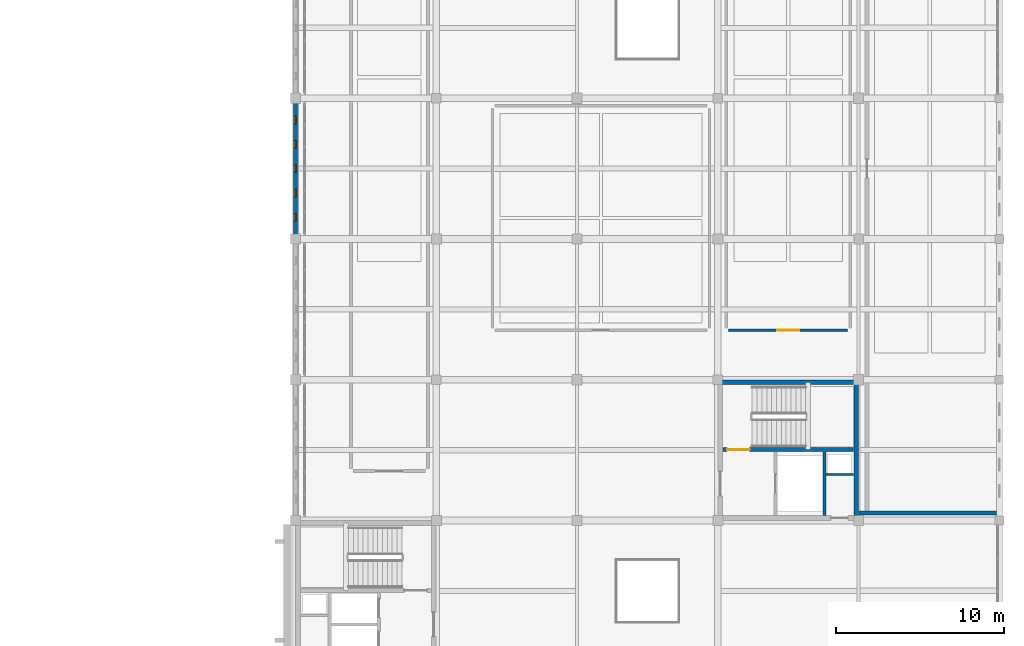
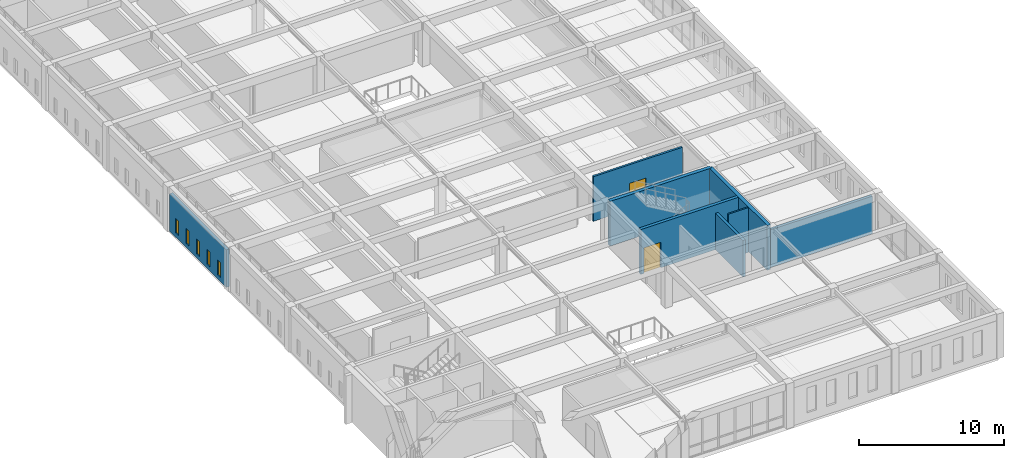
# One storey, part 44 of 56: 8 walls, 5 windows, 2 doors, 7 openings.
"""IFC4 building model written with IfcOpenShell, lengths in metres."""

from ifc_helpers import new_model, si_unit, direction, frame, frame_2d, origin, place, context, subcontext, project, spatial, rectangle, extrude, material, layer, layer_set, type_object, element, fill, save


model = new_model("IFC4")

# Units and contexts
model_context = context("Model", 3, precision=1e-05, world=origin(), true_north=direction((0.0, 1.0)))
body_context = subcontext(model_context, "Body", "Model", "MODEL_VIEW")
ifc_project = project(units=[si_unit("LENGTHUNIT", "METRE"), si_unit("AREAUNIT", "SQUARE_METRE"), si_unit("VOLUMEUNIT", "CUBIC_METRE"), si_unit("PLANEANGLEUNIT", "RADIAN"), si_unit("MASSUNIT", "GRAM", prefix="KILO")], contexts=[model_context])

# Site, building, storey
site_placement = place(None, origin())
site = spatial("IfcSite", under=ifc_project, at=site_placement, CompositionType="ELEMENT")
building_placement = place(site_placement, origin())
building = spatial("IfcBuilding", under=site, at=building_placement, Name="Kveldsbrygga Polytechnic", CompositionType="ELEMENT")
storey_placement = place(building_placement, frame((0.0, 0.0, 18.02001953125)))
storey = spatial("IfcBuildingStorey", under=building, at=storey_placement, Name="L04", CompositionType="ELEMENT", Elevation=18.02001953125)

# Wall, openings, windows
ifc_material_1 = material(Name="Fired clay brick masonry M10", Category="masonry")
ifc_layer_1 = layer(ifc_material_1, 0.239990234375)
ifc_layer_set_1 = layer_set([ifc_layer_1], Name="Fired clay brick masonry M10")
wall_type_1 = type_object("IfcWallType", Name="EW-SCRN-240", PredefinedType="SOLIDWALL", material=ifc_layer_set_1)
wall_1_placement = place(storey_placement, frame((126.0, 50.675048828125, 0.0), z_axis=(0.0, 0.0, 1.0), x_axis=(0.0, 1.0, 0.0)))
wall_1 = element("IfcWall", 1, at=wall_1_placement, inside=storey, type_object=wall_type_1, Name="Perforated Brick Corridor Screen Wall SCRW-L04-Y-15-06", PredefinedType="SOLIDWALL", context=body_context, shape_type="SweptSolid", body=[
    extrude(rectangle(XDim=7.83984375, YDim=0.239990234375, at=frame_2d((3.919921875, 0.0))), origin(), (0.0, 0.0, 1.0), 3.179931640625),
])
opening_1_placement = place(wall_1_placement, frame((0.803955078125, 0.0, 0.35009765625)))
opening_1 = element("IfcOpeningElement", 2, at=opening_1_placement, cuts=wall_1, Name="Opening W-48", PredefinedType="OPENING", context=body_context, shape_type="SweptSolid", body=[
    extrude(rectangle(XDim=0.43994140625, YDim=1.25, at=frame_2d((0.219970703125, 0.625))), frame((0.0, 0.1298828125, 0.0), z_axis=(0.0, -1.0, 0.0), x_axis=(1.0, 0.0, 0.0)), (0.0, 0.0, 1.0), 0.260009765625),
])
opening_2_placement = place(wall_1_placement, frame((2.251953125, 0.0, 0.35009765625)))
opening_2 = element("IfcOpeningElement", 3, at=opening_2_placement, cuts=wall_1, Name="Opening W-48", PredefinedType="OPENING", context=body_context, shape_type="SweptSolid", body=[
    extrude(rectangle(XDim=0.43994140625, YDim=1.25, at=frame_2d((0.219970703125, 0.625))), frame((0.0, 0.1298828125, 0.0), z_axis=(0.0, -1.0, 0.0), x_axis=(1.0, 0.0, 0.0)), (0.0, 0.0, 1.0), 0.260009765625),
])
opening_3_placement = place(wall_1_placement, frame((3.699951171875, 0.0, 0.35009765625)))
opening_3 = element("IfcOpeningElement", 4, at=opening_3_placement, cuts=wall_1, Name="Opening W-48", PredefinedType="OPENING", context=body_context, shape_type="SweptSolid", body=[
    extrude(rectangle(XDim=0.43994140625, YDim=1.25, at=frame_2d((0.219970703125, 0.625))), frame((0.0, 0.1298828125, 0.0), z_axis=(0.0, -1.0, 0.0), x_axis=(1.0, 0.0, 0.0)), (0.0, 0.0, 1.0), 0.260009765625),
])
opening_4_placement = place(wall_1_placement, frame((5.14794921875, 0.0, 0.35009765625)))
opening_4 = element("IfcOpeningElement", 5, at=opening_4_placement, cuts=wall_1, Name="Opening W-48", PredefinedType="OPENING", context=body_context, shape_type="SweptSolid", body=[
    extrude(rectangle(XDim=0.43994140625, YDim=1.25, at=frame_2d((0.219970703125, 0.625))), frame((0.0, 0.1298828125, 0.0), z_axis=(0.0, -1.0, 0.0), x_axis=(1.0, 0.0, 0.0)), (0.0, 0.0, 1.0), 0.260009765625),
])
opening_5_placement = place(wall_1_placement, frame((6.595947265625, 0.0, 0.35009765625)))
opening_5 = element("IfcOpeningElement", 6, at=opening_5_placement, cuts=wall_1, Name="Opening W-48", PredefinedType="OPENING", context=body_context, shape_type="SweptSolid", body=[
    extrude(rectangle(XDim=0.43994140625, YDim=1.25, at=frame_2d((0.219970703125, 0.625))), frame((0.0, 0.1298828125, 0.0), z_axis=(0.0, -1.0, 0.0), x_axis=(1.0, 0.0, 0.0)), (0.0, 0.0, 1.0), 0.260009765625),
])
ifc_material_2 = material(Name="Insulated triple low-E glass", Category="glass")
window_type = type_object("IfcWindowType", Name="WN-SCRN-044x125", PartitioningType="SINGLE_PANEL", PredefinedType="WINDOW", material=ifc_material_2)
window_1_placement = place(opening_1_placement, origin())
window_1 = element("IfcWindow", 7, at=window_1_placement, inside=storey, type_object=window_type, Name="Perforated Screen Aperture L04-Y-15-06-1", OverallHeight=1.25, OverallWidth=0.43994140625, PartitioningType="SINGLE_PANEL", PredefinedType="WINDOW", context=body_context, shape_type="SweptSolid", body=[
    extrude(rectangle(XDim=0.43994140625, YDim=1.25, at=frame_2d((0.219970703125, 0.625))), frame((0.0, 0.030029296875, 0.0), z_axis=(0.0, -1.0, 0.0), x_axis=(1.0, 0.0, 0.0)), (0.0, 0.0, 1.0), 0.06005859375),
])
fill(opening_1, window_1)
window_2_placement = place(opening_2_placement, origin())
window_2 = element("IfcWindow", 8, at=window_2_placement, inside=storey, type_object=window_type, Name="Perforated Screen Aperture L04-Y-15-06-2", OverallHeight=1.25, OverallWidth=0.43994140625, PartitioningType="SINGLE_PANEL", PredefinedType="WINDOW", context=body_context, shape_type="SweptSolid", body=[
    extrude(rectangle(XDim=0.43994140625, YDim=1.25, at=frame_2d((0.219970703125, 0.625))), frame((0.0, 0.030029296875, 0.0), z_axis=(0.0, -1.0, 0.0), x_axis=(1.0, 0.0, 0.0)), (0.0, 0.0, 1.0), 0.06005859375),
])
fill(opening_2, window_2)
window_3_placement = place(opening_3_placement, origin())
window_3 = element("IfcWindow", 9, at=window_3_placement, inside=storey, type_object=window_type, Name="Perforated Screen Aperture L04-Y-15-06-3", OverallHeight=1.25, OverallWidth=0.43994140625, PartitioningType="SINGLE_PANEL", PredefinedType="WINDOW", context=body_context, shape_type="SweptSolid", body=[
    extrude(rectangle(XDim=0.43994140625, YDim=1.25, at=frame_2d((0.219970703125, 0.625))), frame((0.0, 0.030029296875, 0.0), z_axis=(0.0, -1.0, 0.0), x_axis=(1.0, 0.0, 0.0)), (0.0, 0.0, 1.0), 0.06005859375),
])
fill(opening_3, window_3)
window_4_placement = place(opening_4_placement, origin())
window_4 = element("IfcWindow", 10, at=window_4_placement, inside=storey, type_object=window_type, Name="Perforated Screen Aperture L04-Y-15-06-4", OverallHeight=1.25, OverallWidth=0.43994140625, PartitioningType="SINGLE_PANEL", PredefinedType="WINDOW", context=body_context, shape_type="SweptSolid", body=[
    extrude(rectangle(XDim=0.43994140625, YDim=1.25, at=frame_2d((0.219970703125, 0.625))), frame((0.0, 0.030029296875, 0.0), z_axis=(0.0, -1.0, 0.0), x_axis=(1.0, 0.0, 0.0)), (0.0, 0.0, 1.0), 0.06005859375),
])
fill(opening_4, window_4)
window_5_placement = place(opening_5_placement, origin())
window_5 = element("IfcWindow", 11, at=window_5_placement, inside=storey, type_object=window_type, Name="Perforated Screen Aperture L04-Y-15-06-5", OverallHeight=1.25, OverallWidth=0.43994140625, PartitioningType="SINGLE_PANEL", PredefinedType="WINDOW", context=body_context, shape_type="SweptSolid", body=[
    extrude(rectangle(XDim=0.43994140625, YDim=1.25, at=frame_2d((0.219970703125, 0.625))), frame((0.0, 0.030029296875, 0.0), z_axis=(0.0, -1.0, 0.0), x_axis=(1.0, 0.0, 0.0)), (0.0, 0.0, 1.0), 0.06005859375),
])
fill(opening_5, window_5)

# Walls
ifc_layer_2 = layer(ifc_material_1, 0.239990234375)
ifc_layer_set_2 = layer_set([ifc_layer_2], Name="Fired clay brick masonry M10")
wall_type_2 = type_object("IfcWallType", Name="IW-COMP-240", PredefinedType="PARTITIONING", material=ifc_layer_set_2)
wall_2_placement = place(storey_placement, frame((159.6298828125, 34.050048828125, 0.0), z_axis=(0.0, 0.0, 1.0), x_axis=(1.0, 0.0, 0.0)))
element("IfcWall", 12, at=wall_2_placement, inside=storey, type_object=wall_type_2, Name="Partition Wall IW-SP-L04-STK2-S1", PredefinedType="PARTITIONING", context=body_context, shape_type="SweptSolid", body=[
    extrude(rectangle(XDim=8.190185546875, YDim=0.239990234375, at=frame_2d((4.09521484375, 0.0))), origin(), (0.0, 0.0, 1.0), 3.179931640625),
])
ifc_material_3 = material(Name="Moisture-resistant masonry M10", Category="masonry")
ifc_layer_3 = layer(ifc_material_3, 0.1298828125)
ifc_layer_set_3 = layer_set([ifc_layer_3], Name="Moisture-resistant masonry M10")
wall_type_3 = type_object("IfcWallType", Name="IW-SAN-130", PredefinedType="PARTITIONING", material=ifc_layer_set_3)
wall_3_placement = place(storey_placement, frame((157.659912109375, 36.340087890625, 0.0), z_axis=(0.0, 0.0, 1.0), x_axis=(1.0, 0.0, 0.0)))
element("IfcWall", 13, at=wall_3_placement, inside=storey, type_object=wall_type_3, Name="Core AWC Divider C3-L04-W-RSR", PredefinedType="PARTITIONING", context=body_context, shape_type="SweptSolid", body=[
    extrude(rectangle(XDim=1.6201171875, YDim=0.1298828125, at=frame_2d((0.81005859375, 0.0))), origin(), (0.0, 0.0, 1.0), 3.780029296875),
])

# Wall, opening, door
ifc_material_4 = material(Name="Gypsum acoustic stud partition")
ifc_layer_4 = layer(ifc_material_4, 0.159912109375)
ifc_layer_set_4 = layer_set([ifc_layer_4], Name="Gypsum acoustic stud partition")
wall_type_4 = type_object("IfcWallType", Name="IW-STD-160", PredefinedType="PARTITIONING", material=ifc_layer_set_4)
wall_4_placement = place(storey_placement, frame((151.85009765625, 44.949951171875, 0.0), z_axis=(0.0, 0.0, 1.0), x_axis=(1.0, 0.0, 0.0)))
wall_4 = element("IfcWall", 14, at=wall_4_placement, inside=storey, type_object=wall_type_4, Name="Partition Wall IW-SP-L04-STD43-S1", PredefinedType="PARTITIONING", context=body_context, shape_type="SweptSolid", body=[
    extrude(rectangle(XDim=7.099853515625, YDim=0.159912109375, at=frame_2d((3.5498046875, 0.0))), origin(), (0.0, 0.0, 1.0), 3.780029296875),
])
opening_6_placement = place(wall_4_placement, frame((2.89990234375, 0.0, 0.0)))
opening_6 = element("IfcOpeningElement", 15, at=opening_6_placement, cuts=wall_4, Name="Opening ID-L04-091", PredefinedType="OPENING", context=body_context, shape_type="SweptSolid", body=[
    extrude(rectangle(XDim=1.300048828125, YDim=2.199951171875, at=frame_2d((0.64990234375, 1.10009765625))), frame((0.0, 0.08984375, 0.0), z_axis=(0.0, -1.0, 0.0), x_axis=(1.0, 0.0, 0.0)), (0.0, 0.0, 1.0), 0.179931640625),
])
ifc_material_5 = material(Name="Acoustic oak timber", Category="wood")
door_type_1 = type_object("IfcDoorType", Name="ID-STD-130x220", OperationType="NOTDEFINED", PredefinedType="DOOR", material=ifc_material_5)
door_1_placement = place(opening_6_placement, origin())
door_1 = element("IfcDoor", 16, at=door_1_placement, inside=storey, type_object=door_type_1, Name="Interior Door ID-L04-091", OperationType="SINGLE_SWING_LEFT", OverallHeight=2.199951171875, OverallWidth=1.300048828125, PredefinedType="DOOR", context=body_context, shape_type="SweptSolid", body=[
    extrude(rectangle(XDim=1.300048828125, YDim=2.199951171875, at=frame_2d((0.64990234375, 1.10009765625))), frame((0.0, 0.02490234375, 0.0), z_axis=(0.0, -1.0, 0.0), x_axis=(1.0, 0.0, 0.0)), (0.0, 0.0, 1.0), 0.050048828125),
])
fill(opening_6, door_1)

ifc_material_6 = material(Name="Concrete C45/55", Category="concrete")
ifc_layer_5 = layer(ifc_material_6, 0.25)
ifc_layer_set_5 = layer_set([ifc_layer_5], Name="Concrete C45/55")
wall_type_5 = type_object("IfcWallType", Name="WL-CORE-250", PredefinedType="SHEAR", material=ifc_layer_set_5)
wall_5_placement = place(storey_placement, frame((151.5, 37.830078125, 0.0), z_axis=(0.0, 0.0, 1.0), x_axis=(1.0, 0.0, 0.0)))
wall_5 = element("IfcWall", 17, at=wall_5_placement, inside=storey, type_object=wall_type_5, Name="Core C3 Shear Wall C3-L04-W-DIV", PredefinedType="SHEAR", context=body_context, shape_type="SweptSolid", body=[
    extrude(rectangle(XDim=7.800048828125, YDim=0.25, at=frame_2d((3.89990234375, 0.0))), origin(), (0.0, 0.0, 1.0), 3.780029296875),
])
opening_7_placement = place(wall_5_placement, frame((0.25, 0.0, 0.0)))
opening_7 = element("IfcOpeningElement", 18, at=opening_7_placement, cuts=wall_5, Name="Opening FD-C3-L04-ST", PredefinedType="OPENING", context=body_context, shape_type="SweptSolid", body=[
    extrude(rectangle(XDim=1.35009765625, YDim=2.14990234375, at=frame_2d((0.675048828125, 1.074951171875))), frame((0.0, 0.135009765625, 0.0), z_axis=(0.0, -1.0, 0.0), x_axis=(1.0, 0.0, 0.0)), (0.0, 0.0, 1.0), 0.27001953125),
])
ifc_material_7 = material(Name="Powder-coated galvanised steel", Category="steel")
door_type_2 = type_object("IfcDoorType", Name="ID-STAIR-135x215", OperationType="NOTDEFINED", PredefinedType="DOOR", material=ifc_material_7)
door_2_placement = place(opening_7_placement, origin())
door_2 = element("IfcDoor", 19, at=door_2_placement, inside=storey, type_object=door_type_2, Name="Stair Fire Door FD-C3-L04-ST", OperationType="SINGLE_SWING_LEFT", OverallHeight=2.14990234375, OverallWidth=1.35009765625, PredefinedType="DOOR", context=body_context, shape_type="SweptSolid", body=[
    extrude(rectangle(XDim=1.35009765625, YDim=2.14990234375, at=frame_2d((0.675048828125, 1.074951171875))), frame((0.0, 0.02490234375, 0.0), z_axis=(0.0, -1.0, 0.0), x_axis=(1.0, 0.0, 0.0)), (0.0, 0.0, 1.0), 0.050048828125),
])
fill(opening_7, door_2)

# Walls
ifc_layer_6 = layer(ifc_material_6, 0.280029296875)
ifc_layer_set_6 = layer_set([ifc_layer_6], Name="Concrete C45/55")
wall_type_6 = type_object("IfcWallType", Name="WL-CORE-280", PredefinedType="SHEAR", material=ifc_layer_set_6)
wall_6_placement = place(storey_placement, frame((151.35009765625, 41.85009765625, 0.0), z_axis=(0.0, 0.0, 1.0), x_axis=(1.0, 0.0, 0.0)))
element("IfcWall", 20, at=wall_6_placement, inside=storey, type_object=wall_type_6, Name="Core C3 Shear Wall C3-L04-SW-N", PredefinedType="SHEAR", context=body_context, shape_type="SweptSolid", body=[
    extrude(rectangle(XDim=8.099853515625, YDim=0.280029296875, at=frame_2d((4.0498046875, 0.0))), origin(), (0.0, 0.0, 1.0), 3.780029296875),
])
wall_7_placement = place(storey_placement, frame((159.449951171875, 33.75, 0.0), z_axis=(0.0, 0.0, 1.0), x_axis=(0.0, 1.0, 0.0)))
element("IfcWall", 21, at=wall_7_placement, inside=storey, type_object=wall_type_6, Name="Core C3 Shear Wall C3-L04-SW-E", PredefinedType="SHEAR", context=body_context, shape_type="SweptSolid", body=[
    extrude(rectangle(XDim=8.10009765625, YDim=0.280029296875, at=frame_2d((4.050048828125, 0.0))), origin(), (0.0, 0.0, 1.0), 3.780029296875),
])
ifc_material_8 = material(Name="Concrete C35/45", Category="concrete")
ifc_layer_7 = layer(ifc_material_8, 0.199951171875)
ifc_layer_set_7 = layer_set([ifc_layer_7], Name="Concrete C35/45")
wall_type_7 = type_object("IfcWallType", Name="WL-SHFT-200", PredefinedType="SHEAR", material=ifc_layer_set_7)
wall_8_placement = place(storey_placement, frame((157.56005859375, 33.89990234375, 0.0), z_axis=(0.0, 0.0, 1.0), x_axis=(0.0, 1.0, 0.0)))
element("IfcWall", 22, at=wall_8_placement, inside=storey, type_object=wall_type_7, Name="Lift Back Wall C3-L04-W-LBK", PredefinedType="SHEAR", context=body_context, shape_type="SweptSolid", body=[
    extrude(rectangle(XDim=3.800048828125, YDim=0.199951171875, at=frame_2d((1.89990234375, 0.0))), origin(), (0.0, 0.0, 1.0), 3.080078125),
])

save(model, "model.ifc")
